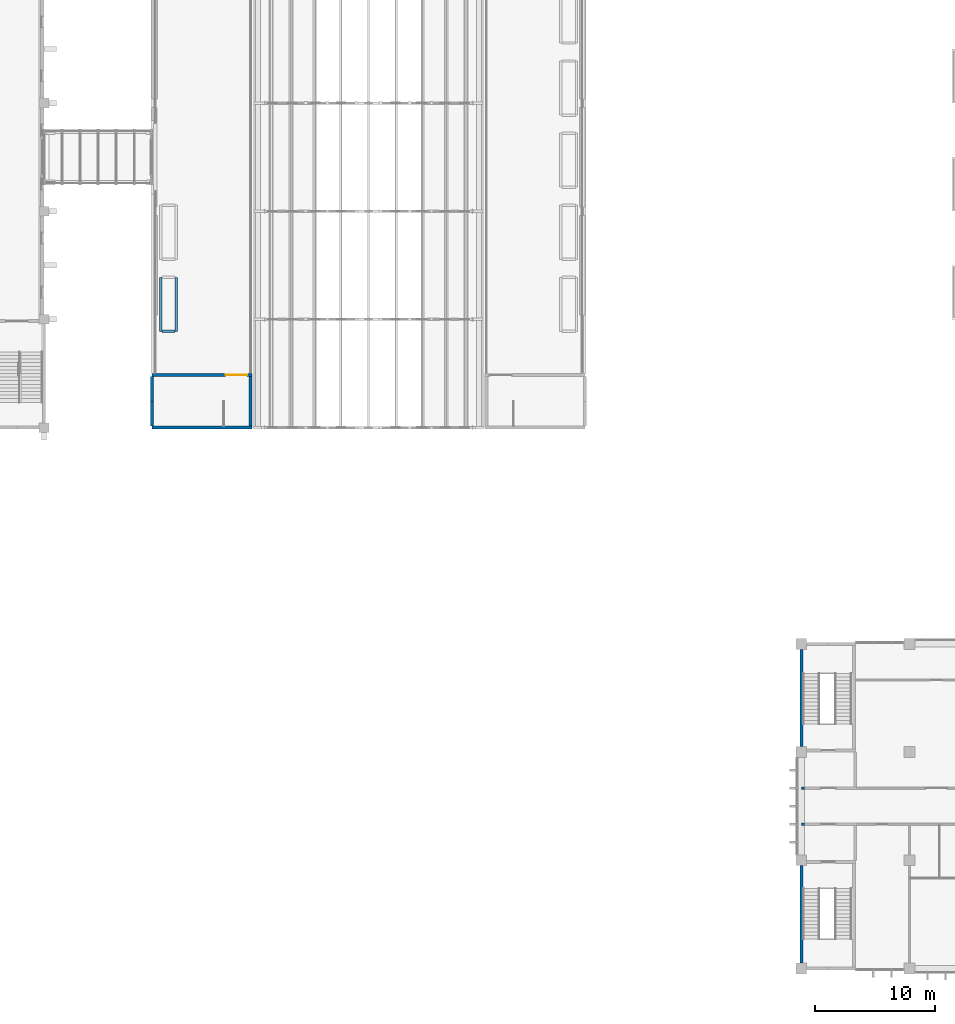
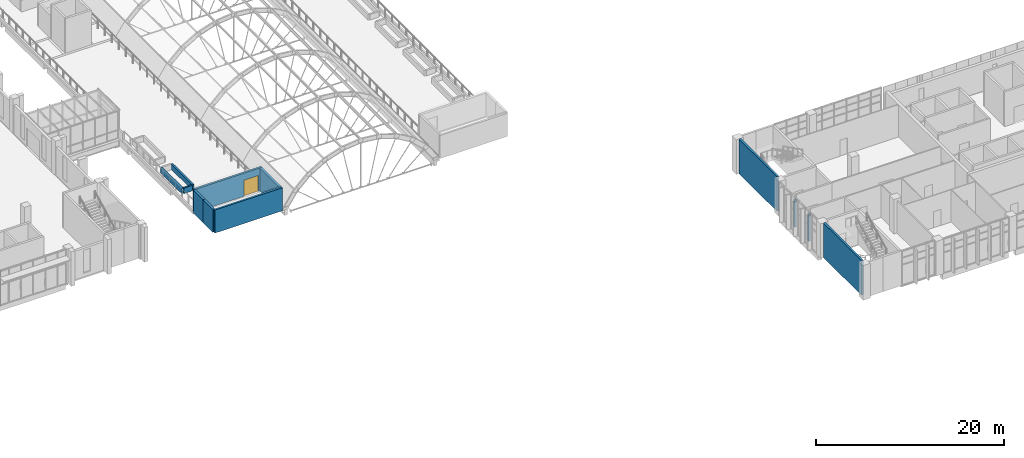
# One storey, part 52 of 79: 12 walls, 1 door, 1 opening.
"""IFC4 building model written with IfcOpenShell, lengths in metres."""

from ifc_helpers import new_model, si_unit, direction, frame, frame_2d, origin, place, context, subcontext, project, spatial, rectangle, extrude, material, layer, layer_set, type_object, element, fill, save


model = new_model("IFC4")

# Units and contexts
model_context = context("Model", 3, precision=1e-05, world=origin(), true_north=direction((0.0, 1.0)))
body_context = subcontext(model_context, "Body", "Model", "MODEL_VIEW")
ifc_project = project(units=[si_unit("LENGTHUNIT", "METRE"), si_unit("AREAUNIT", "SQUARE_METRE"), si_unit("VOLUMEUNIT", "CUBIC_METRE"), si_unit("PLANEANGLEUNIT", "RADIAN"), si_unit("MASSUNIT", "GRAM", prefix="KILO")], contexts=[model_context])

# Site, building, storey
site_placement = place(None, origin())
site = spatial("IfcSite", under=ifc_project, at=site_placement, CompositionType="ELEMENT")
building_placement = place(site_placement, origin())
building = spatial("IfcBuilding", under=site, at=building_placement, Name="Guidao Yard Department Store", CompositionType="ELEMENT")
storey_placement = place(building_placement, frame((0.0, 0.0, 15.0)))
storey = spatial("IfcBuildingStorey", under=building, at=storey_placement, Name="L03", CompositionType="ELEMENT", Elevation=15.0)

# Walls
ifc_material_1 = material(Name="Concrete C30", Category="concrete")
ifc_layer_1 = layer(ifc_material_1, 0.199951171875)
ifc_layer_set_1 = layer_set([ifc_layer_1], Name="Planter wall 200 C30")
wall_type_1 = type_object("IfcWallType", Name="Planter wall 200 C30", PredefinedType="USERDEFINED", material=ifc_layer_set_1)
for number, where, z_axis, x_axis, name in (
    (1, (72.699951171875, 53.0, 0.0), (0.0, 0.0, 1.0), (0.0, 1.0, 0.0), "Planter wall"),
    (2, (74.0, 53.0, 0.0), (0.0, 0.0, 1.0), (0.0, 1.0, 0.0), "Planter wall"),
):
    element("IfcWall", number, at=place(storey_placement, frame(where, z_axis=z_axis, x_axis=x_axis)), inside=storey, type_object=wall_type_1, Name=name, ObjectType="PLANTER", PredefinedType="USERDEFINED", context=body_context, shape_type="SweptSolid", body=[
        extrude(rectangle(XDim=4.5, YDim=0.199951171875, at=frame_2d((2.25, 0.0))), origin(), (0.0, 0.0, 1.0), 0.699951171875),
    ])
wall_1_placement = place(storey_placement, frame((72.800048828125, 53.0, 0.0), z_axis=(0.0, 0.0, 1.0), x_axis=(1.0, 0.0, 0.0)))
element("IfcWall", 3, at=wall_1_placement, inside=storey, type_object=wall_type_1, Name="Planter wall", ObjectType="PLANTER", PredefinedType="USERDEFINED", context=body_context, shape_type="SweptSolid", body=[
    extrude(rectangle(XDim=1.099853515625, YDim=0.199951171875, at=frame_2d((0.5498046875, 0.0))), origin(), (0.0, 0.0, 1.0), 0.699951171875),
])
ifc_material_2 = material(Name="Autoclaved aerated concrete block A3.5 B06", Category="concrete")
ifc_layer_2 = layer(ifc_material_2, 0.199951171875)
ifc_layer_set_2 = layer_set([ifc_layer_2], Name="Shaft Wall 200 Autoclaved Block EI 120")
wall_type_2 = type_object("IfcWallType", Name="Shaft Wall 200 Autoclaved Block EI 120", PredefinedType="PARTITIONING", material=ifc_layer_set_2)
for number, where, z_axis, x_axis, name in (
    (4, (126.0, 12.0, 0.0), (0.0, 0.0, 1.0), (1.0, 0.0, 0.0), "pt.wall.L03.0005"),
    (5, (126.0, 15.0, 0.0), (0.0, 0.0, 1.0), (1.0, 0.0, 0.0), "pt.wall.L03.0009"),
):
    element("IfcWall", number, at=place(storey_placement, frame(where, z_axis=z_axis, x_axis=x_axis)), inside=storey, type_object=wall_type_2, Name=name, PredefinedType="PARTITIONING", context=body_context, shape_type="SweptSolid", body=[
        extrude(rectangle(XDim=0.25, YDim=0.199951171875, at=frame_2d((0.125, 0.0))), origin(), (0.0, 0.0, 1.0), 3.60009765625),
    ])
ifc_material_3 = material(Name="Concrete C40", Category="concrete")
ifc_layer_3 = layer(ifc_material_3, 0.25)
ifc_layer_set_3 = layer_set([ifc_layer_3], Name="Wall RC 250 C40 stair and shaft")
wall_type_3 = type_object("IfcWallType", Name="Wall RC 250 C40 stair and shaft", PredefinedType="SHEAR", material=ifc_layer_set_3)
wall_2_placement = place(storey_placement, frame((72.0, 45.0, 0.0), z_axis=(0.0, 0.0, 1.0), x_axis=(1.0, 0.0, 0.0)))
element("IfcWall", 6, at=wall_2_placement, inside=storey, type_object=wall_type_3, Name="Stair wall SG1", PredefinedType="SHEAR", context=body_context, shape_type="SweptSolid", body=[
    extrude(rectangle(XDim=8.300048828125, YDim=0.25, at=frame_2d((4.14990234375, 0.0))), origin(), (0.0, 0.0, 1.0), 3.0),
])

# Wall, opening, door
wall_3_placement = place(storey_placement, frame((72.0, 49.375, 0.0), z_axis=(0.0, 0.0, 1.0), x_axis=(1.0, 0.0, 0.0)))
wall_3 = element("IfcWall", 7, at=wall_3_placement, inside=storey, type_object=wall_type_3, Name="Stair wall SG1", PredefinedType="SHEAR", context=body_context, shape_type="SweptSolid", body=[
    extrude(rectangle(XDim=8.300048828125, YDim=0.25, at=frame_2d((4.14990234375, 0.0))), origin(), (0.0, 0.0, 1.0), 3.0),
])
opening_placement = place(wall_3_placement, frame((6.10009765625, 0.0, 0.0)))
opening = element("IfcOpeningElement", 8, at=opening_placement, cuts=wall_3, Name="Opening L03-808", PredefinedType="OPENING", context=body_context, shape_type="SweptSolid", body=[
    extrude(rectangle(XDim=1.800048828125, YDim=2.10009765625, at=frame_2d((0.89990234375, 1.050048828125))), frame((0.0, 0.135009765625, 0.0), z_axis=(0.0, -1.0, 0.0), x_axis=(1.0, 0.0, 0.0)), (0.0, 0.0, 1.0), 0.27001953125),
])
ifc_material_4 = material(Name="Steel Q235", Category="steel")
door_type = type_object("IfcDoorType", Name="Door fire-resisting 1800 x 2100 FD60", OperationType="DOUBLE_DOOR_SINGLE_SWING", PredefinedType="DOOR", material=ifc_material_4)
door_placement = place(opening_placement, origin())
door = element("IfcDoor", 9, at=door_placement, inside=storey, type_object=door_type, Name="Stair G1 door L03", OperationType="DOUBLE_DOOR_SINGLE_SWING", OverallHeight=2.10009765625, OverallWidth=1.800048828125, PredefinedType="DOOR", context=body_context, shape_type="SweptSolid", body=[
    extrude(rectangle(XDim=1.800048828125, YDim=2.10009765625, at=frame_2d((0.89990234375, 1.050048828125))), frame((0.0, 0.02490234375, 0.0), z_axis=(0.0, -1.0, 0.0), x_axis=(1.0, 0.0, 0.0)), (0.0, 0.0, 1.0), 0.050048828125),
])
fill(opening, door)

# Walls
wall_4_placement = place(storey_placement, frame((72.0, 45.125, 0.0), z_axis=(0.0, 0.0, 1.0), x_axis=(0.0, 1.0, 0.0)))
element("IfcWall", 10, at=wall_4_placement, inside=storey, type_object=wall_type_3, Name="Stair wall SG1", PredefinedType="SHEAR", context=body_context, shape_type="SweptSolid", body=[
    extrude(rectangle(XDim=2.06298828125, YDim=0.25, at=frame_2d((1.031494140625, 0.0))), origin(), (0.0, 0.0, 1.0), 3.0),
])
wall_5_placement = place(storey_placement, frame((72.0, 47.18798828125, 0.0), z_axis=(0.0, 0.0, 1.0), x_axis=(0.0, 1.0, 0.0)))
element("IfcWall", 11, at=wall_5_placement, inside=storey, type_object=wall_type_3, Name="Stair wall SG1", PredefinedType="SHEAR", context=body_context, shape_type="SweptSolid", body=[
    extrude(rectangle(XDim=2.06201171875, YDim=0.25, at=frame_2d((1.031005859375, 0.0))), origin(), (0.0, 0.0, 1.0), 3.0),
])
wall_6_placement = place(storey_placement, frame((80.175048828125, 45.125, 0.0), z_axis=(0.0, 0.0, 1.0), x_axis=(0.0, 1.0, 0.0)))
element("IfcWall", 12, at=wall_6_placement, inside=storey, type_object=wall_type_3, Name="Stair wall SG1", PredefinedType="SHEAR", context=body_context, shape_type="SweptSolid", body=[
    extrude(rectangle(XDim=4.125, YDim=0.25, at=frame_2d((2.0625, 0.0))), origin(), (0.0, 0.0, 1.0), 3.0),
])
for number, where, z_axis, x_axis, name in (
    (13, (126.0, 0.449951171875, 0.0), (0.0, 0.0, 1.0), (0.0, 1.0, 0.0), "Stair wall SO1"),
    (14, (126.0, 18.449951171875, 0.0), (0.0, 0.0, 1.0), (0.0, 1.0, 0.0), "Stair wall SO3"),
):
    element("IfcWall", number, at=place(storey_placement, frame(where, z_axis=z_axis, x_axis=x_axis)), inside=storey, type_object=wall_type_3, Name=name, PredefinedType="SHEAR", context=body_context, shape_type="SweptSolid", body=[
        extrude(rectangle(XDim=8.10009765625, YDim=0.25, at=frame_2d((4.050048828125, 0.0))), origin(), (0.0, 0.0, 1.0), 4.5),
    ])

save(model, "model.ifc")
